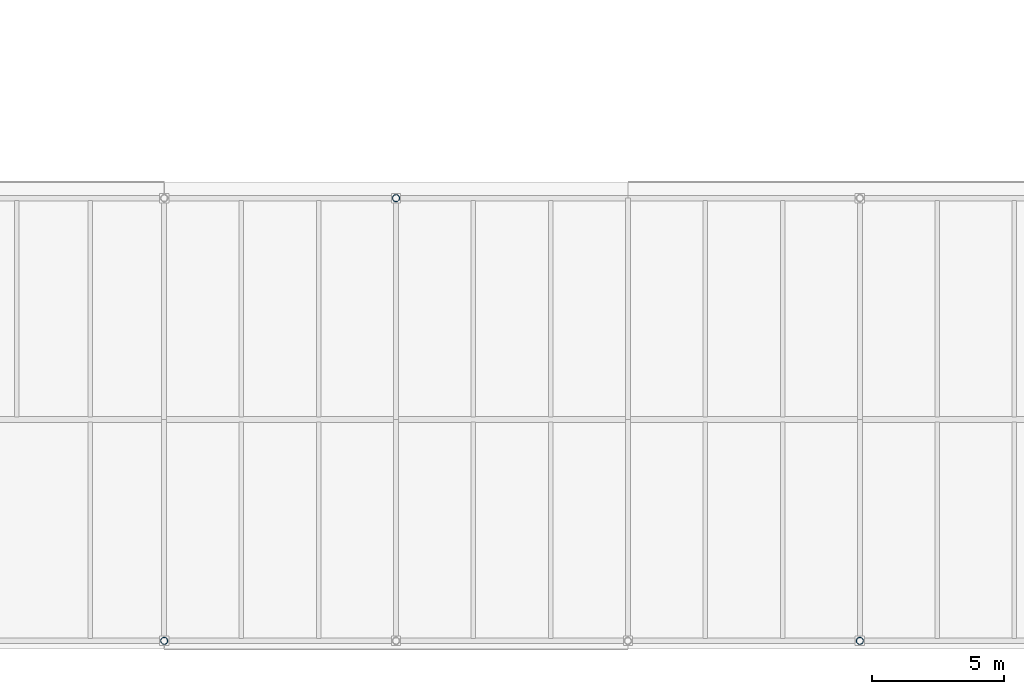
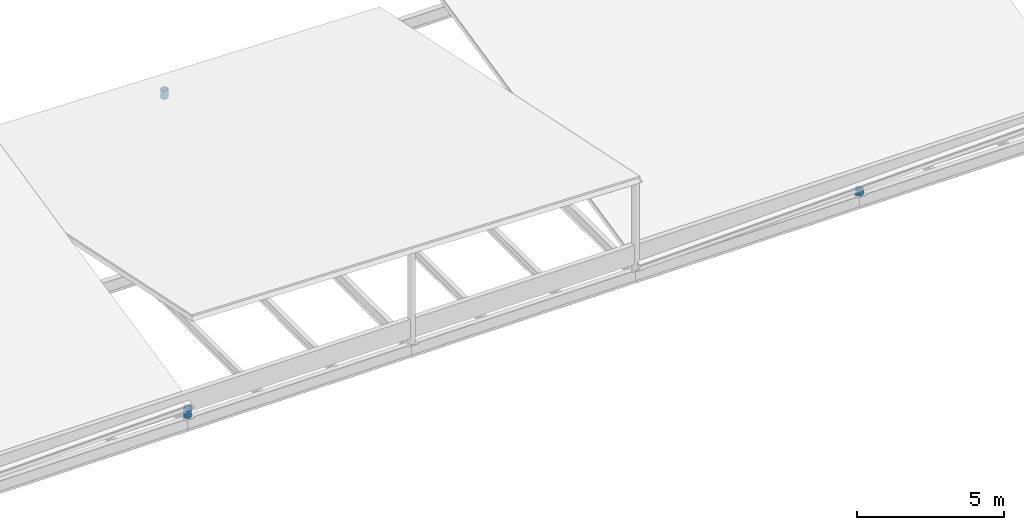
# One storey, part 5 of 50: 3 columns.
"""IFC4 building model written with IfcOpenShell, lengths in metres."""

from ifc_helpers import new_model, si_unit, direction, frame, origin, origin_2d, place, context, subcontext, project, spatial, hollow_circle, extrude, material, material_profile, profile_set, type_object, element, save


model = new_model("IFC4")

# Units and contexts
model_context = context("Model", 3, precision=1e-05, world=origin(), true_north=direction((0.0, 1.0)))
body_context = subcontext(model_context, "Body", "Model", "MODEL_VIEW")
ifc_project = project(units=[si_unit("LENGTHUNIT", "METRE"), si_unit("AREAUNIT", "SQUARE_METRE"), si_unit("VOLUMEUNIT", "CUBIC_METRE"), si_unit("PLANEANGLEUNIT", "RADIAN"), si_unit("MASSUNIT", "GRAM", prefix="KILO")], contexts=[model_context])

# Site, building, storey
site_placement = place(None, origin())
site = spatial("IfcSite", under=ifc_project, at=site_placement, CompositionType="ELEMENT")
building_placement = place(site_placement, origin())
building = spatial("IfcBuilding", under=site, at=building_placement, Name="Cinderway Yard Community Centre", CompositionType="ELEMENT")
storey_placement = place(building_placement, frame((0.0, 0.0, 12.89990234375)))
storey = spatial("IfcBuildingStorey", under=building, at=storey_placement, Name="L03", CompositionType="ELEMENT", Elevation=12.89990234375)

# Columns
ifc_material = material(Name="Steel S355", Category="steel")
ifc_material_profile = material_profile(ifc_material, hollow_circle(Radius=0.136474609375, WallThickness=0.012451171875, at=origin_2d()), Name="Steel S355")
ifc_profile_set = profile_set([ifc_material_profile], Name="Steel S355")
column_type = type_object("IfcColumnType", Name="STR-POST-CHS273", PredefinedType="PILASTER", material=ifc_profile_set)
column_1_placement = place(storey_placement, frame((75.199951171875, 6.0, 0.0), z_axis=(0.0, 0.0, 1.0), x_axis=(1.0, 0.0, 0.0)))
element("IfcColumn", 1, at=column_1_placement, inside=storey, type_object=column_type, Name="V3 roof strut post FOLD1-2", PredefinedType="PILASTER", context=body_context, shape_type="SweptSolid", body=[
    extrude(hollow_circle(Radius=0.136474609375, WallThickness=0.012451171875, at=origin_2d()), origin(), (0.0, 0.0, 1.0), 0.420166015625),
])
column_2_placement = place(storey_placement, frame((84.0, 22.800048828125, 0.0), z_axis=(0.0, 0.0, 1.0), x_axis=(1.0, 0.0, 0.0)))
element("IfcColumn", 2, at=column_2_placement, inside=storey, type_object=column_type, Name="V3 roof strut post FOLD2-3", PredefinedType="PILASTER", context=body_context, shape_type="SweptSolid", body=[
    extrude(hollow_circle(Radius=0.136474609375, WallThickness=0.012451171875, at=origin_2d()), origin(), (0.0, 0.0, 1.0), 0.35009765625),
])
column_3_placement = place(storey_placement, frame((101.60009765625, 6.0, 0.0), z_axis=(0.0, 0.0, 1.0), x_axis=(1.0, 0.0, 0.0)))
element("IfcColumn", 3, at=column_3_placement, inside=storey, type_object=column_type, Name="V3 roof strut post FOLD3-1", PredefinedType="PILASTER", context=body_context, shape_type="SweptSolid", body=[
    extrude(hollow_circle(Radius=0.136474609375, WallThickness=0.012451171875, at=origin_2d()), origin(), (0.0, 0.0, 1.0), 0.25),
])

save(model, "model.ifc")
